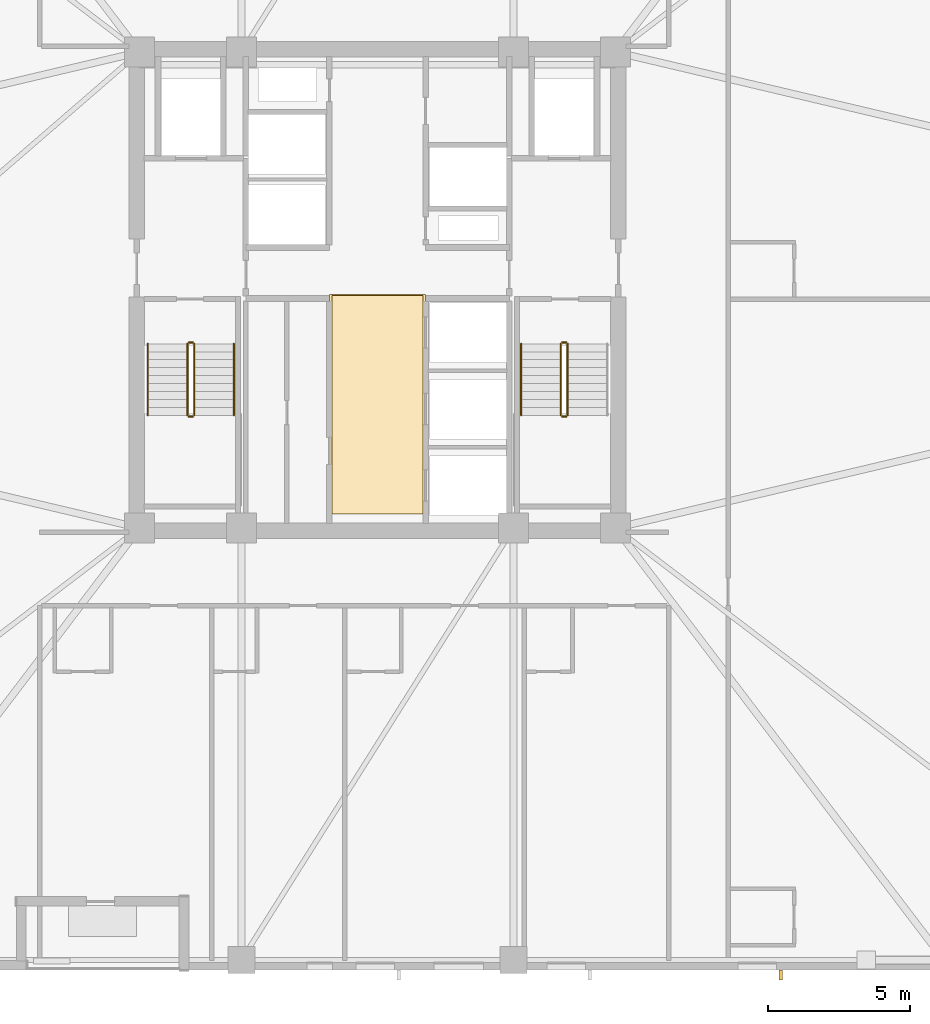
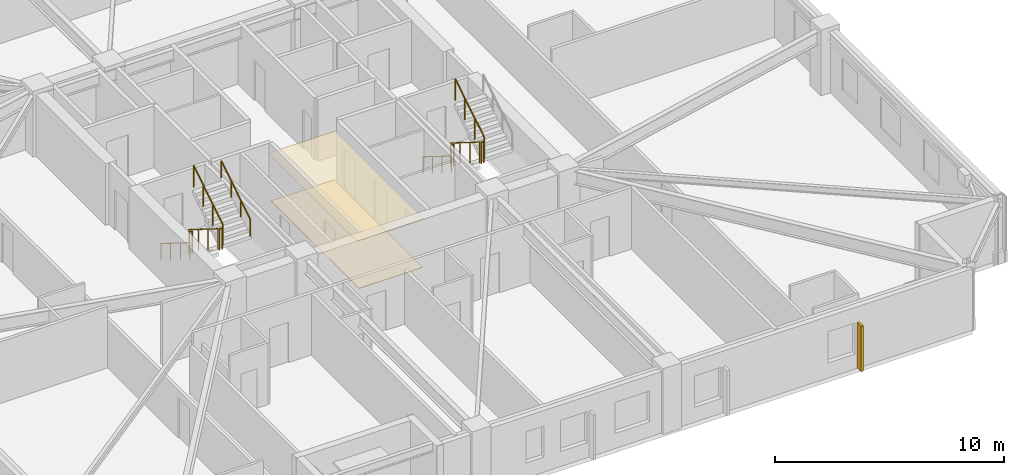
# One storey, part 8 of 11: 11 railings, 2 coverings, 1 shading device.
"""IFC4 building model written with IfcOpenShell, lengths in metres."""

from ifc_helpers import new_model, si_unit, direction, frame, origin, origin_2d, place, context, subcontext, project, spatial, polyline, rectangle, circle, outline, extrude, material, layer, layer_set, type_object, element, save


model = new_model("IFC4")

# Units and contexts
model_context = context("Model", 3, precision=1e-05, world=origin(), true_north=direction((0.0, 1.0)))
body_context = subcontext(model_context, "Body", "Model", "MODEL_VIEW")
ifc_project = project(units=[si_unit("LENGTHUNIT", "METRE"), si_unit("AREAUNIT", "SQUARE_METRE"), si_unit("VOLUMEUNIT", "CUBIC_METRE"), si_unit("PLANEANGLEUNIT", "RADIAN"), si_unit("MASSUNIT", "GRAM", prefix="KILO")], contexts=[model_context])

# Site, building, storey
site_placement = place(None, origin())
site = spatial("IfcSite", under=ifc_project, at=site_placement, CompositionType="ELEMENT")
building_placement = place(site_placement, origin())
building = spatial("IfcBuilding", under=site, at=building_placement, Name="Cairnveth Concourse Tower", CompositionType="ELEMENT")
storey_placement = place(building_placement, frame((0.0, 0.0, 141.0)))
storey = spatial("IfcBuildingStorey", under=building, at=storey_placement, Name="L38", CompositionType="ELEMENT", Elevation=141.0)

# Covering
ifc_material_1 = material(Name="Acoustic Mineral Fibre Ceiling", Category="gypsum")
ifc_layer_1 = layer(ifc_material_1, 0.02490234375)
ifc_layer_set_1 = layer_set([ifc_layer_1], Name="Acoustic Mineral Fibre Ceiling")
covering_type_1 = type_object("IfcCoveringType", Name="ACOUSTIC MINERAL FIBRE CEILING 25", PredefinedType="CEILING", material=ifc_layer_set_1)
covering_1_placement = place(storey_placement, frame((0.0, 0.0, 2.5400390625)))
element("IfcCovering", 1, at=covering_1_placement, inside=storey, type_object=covering_type_1, Name="Lift Lobby Acoustic Ceiling L38", PredefinedType="CEILING", context=body_context, shape_type="SweptSolid", body=[
    extrude(outline(polyline([(50.300048828125, 31.10009765625), (53.699951171875, 31.10009765625), (53.699951171875, 38.85009765625), (50.300048828125, 38.85009765625), (50.300048828125, 31.10009765625)])), origin(), (0.0, 0.0, 1.0), 0.02490234375),
])

# Shading device
ifc_material_2 = material(Name="Architectural Bronze Anodised Aluminium 6063-T6", Category="aluminium")
shading_device_type = type_object("IfcShadingDeviceType", Name="GOTHIC BRONZE VERTICAL LANCET FIN", PredefinedType="USERDEFINED", material=ifc_material_2)
shading_device_placement = place(storey_placement, frame((66.23681640625, 14.824951171875, 0.030029296875), z_axis=(0.0, 0.0, 1.0), x_axis=(1.0, 0.0, 0.0)))
element("IfcShadingDevice", 2, at=shading_device_placement, inside=storey, type_object=shading_device_type, Name="Gothic Bronze Vertical Fin L38-12-1", ObjectType="VERTICAL FIN", PredefinedType="USERDEFINED", context=body_context, shape_type="SweptSolid", body=[
    extrude(rectangle(XDim=0.1201171875, YDim=0.360107421875, at=origin_2d()), origin(), (0.0, 0.0, 1.0), 2.419921875),
])

# Railings
ifc_material_3 = material(Name="Steel Grade 350", Category="steel")
railing_type_1 = type_object("IfcRailingType", Name="STAIR GUARDRAIL 1150", PredefinedType="GUARDRAIL", material=ifc_material_3)
railing_1_placement = place(storey_placement, frame((45.2900390625, 37.10009765625, 0.175048828125)))
element("IfcRailing", 3, at=railing_1_placement, inside=storey, type_object=railing_type_1, Name="L38 ST-1 stair guard 1", PredefinedType="GUARDRAIL", context=body_context, shape_type="SweptSolid", body=[
    extrude(circle(Radius=0.02392578125, at=origin_2d()), frame((0.0, 0.0, 1.1259765625), z_axis=(0.0, -0.848007534815, 0.529984170421), x_axis=(1.0, 0.0, 0.0)), (0.0, 0.0, 1.0), 2.9716796875),
    extrude(circle(Radius=0.02099609375, at=origin_2d()), origin(), (0.0, 0.0, 1.0), 1.101806640625),
    extrude(circle(Radius=0.02099609375, at=origin_2d()), frame((0.0, -0.840087890625, 0.52490234375)), (0.0, 0.0, 1.0), 1.101806640625),
    extrude(circle(Radius=0.02099609375, at=origin_2d()), frame((0.0, -1.679931640625, 1.050048828125)), (0.0, 0.0, 1.0), 1.101806640625),
    extrude(circle(Radius=0.02099609375, at=origin_2d()), frame((0.0, -2.52001953125, 1.574951171875)), (0.0, 0.0, 1.0), 1.101806640625),
])
railing_2_placement = place(storey_placement, frame((45.340087890625, 34.530029296875, 1.75)))
element("IfcRailing", 4, at=railing_2_placement, inside=storey, type_object=railing_type_1, Name="L38 ST-1 stair guard 2", PredefinedType="GUARDRAIL", context=body_context, shape_type="SweptSolid", body=[
    extrude(circle(Radius=0.02392578125, at=origin_2d()), frame((0.0, 0.0, 1.1259765625), z_axis=(1.0, 0.0, 0.0), x_axis=(0.0, 1.0, 0.0)), (0.0, 0.0, 1.0), 0.139892578125),
    extrude(circle(Radius=0.02099609375, at=origin_2d()), origin(), (0.0, 0.0, 1.0), 1.101806640625),
    extrude(circle(Radius=0.02099609375, at=origin_2d()), frame((0.139892578125, 0.0, 0.0)), (0.0, 0.0, 1.0), 1.101806640625),
])
railing_3_placement = place(storey_placement, frame((45.530029296875, 34.580078125, 1.925048828125)))
element("IfcRailing", 5, at=railing_3_placement, inside=storey, type_object=railing_type_1, Name="L38 ST-1 stair guard 3", PredefinedType="GUARDRAIL", context=body_context, shape_type="SweptSolid", body=[
    extrude(circle(Radius=0.02392578125, at=origin_2d()), frame((0.0, 0.0, 1.1259765625), z_axis=(0.0, 0.848007534815, 0.529984170421), x_axis=(-1.0, 0.0, 0.0)), (0.0, 0.0, 1.0), 2.9716796875),
    extrude(circle(Radius=0.02099609375, at=origin_2d()), origin(), (0.0, 0.0, 1.0), 1.101806640625),
    extrude(circle(Radius=0.02099609375, at=origin_2d()), frame((0.0, 0.840087890625, 0.52490234375)), (0.0, 0.0, 1.0), 1.101806640625),
    extrude(circle(Radius=0.02099609375, at=origin_2d()), frame((0.0, 1.679931640625, 1.050048828125)), (0.0, 0.0, 1.0), 1.101806640625),
    extrude(circle(Radius=0.02099609375, at=origin_2d()), frame((0.0, 2.52001953125, 1.574951171875)), (0.0, 0.0, 1.0), 1.101806640625),
])
railing_4_placement = place(storey_placement, frame((45.340087890625, 37.14990234375, 0.0)))
element("IfcRailing", 6, at=railing_4_placement, inside=storey, type_object=railing_type_1, Name="L38 ST-1 stair guard 4", PredefinedType="GUARDRAIL", context=body_context, shape_type="SweptSolid", body=[
    extrude(circle(Radius=0.02392578125, at=origin_2d()), frame((0.0, 0.0, 1.1259765625), z_axis=(1.0, 0.0, 0.0), x_axis=(0.0, 1.0, 0.0)), (0.0, 0.0, 1.0), 0.139892578125),
    extrude(circle(Radius=0.02099609375, at=origin_2d()), origin(), (0.0, 0.0, 1.0), 1.101806640625),
    extrude(circle(Radius=0.02099609375, at=origin_2d()), frame((0.139892578125, 0.0, 0.0)), (0.0, 0.0, 1.0), 1.101806640625),
])
railing_5_placement = place(storey_placement, frame((58.469970703125, 37.10009765625, 0.175048828125)))
element("IfcRailing", 7, at=railing_5_placement, inside=storey, type_object=railing_type_1, Name="L38 ST-2 stair guard 1", PredefinedType="GUARDRAIL", context=body_context, shape_type="SweptSolid", body=[
    extrude(circle(Radius=0.02392578125, at=origin_2d()), frame((0.0, 0.0, 1.1259765625), z_axis=(0.0, -0.848007534815, 0.529984170421), x_axis=(1.0, 0.0, 0.0)), (0.0, 0.0, 1.0), 2.9716796875),
    extrude(circle(Radius=0.02099609375, at=origin_2d()), origin(), (0.0, 0.0, 1.0), 1.101806640625),
    extrude(circle(Radius=0.02099609375, at=origin_2d()), frame((0.0, -0.840087890625, 0.52490234375)), (0.0, 0.0, 1.0), 1.101806640625),
    extrude(circle(Radius=0.02099609375, at=origin_2d()), frame((0.0, -1.679931640625, 1.050048828125)), (0.0, 0.0, 1.0), 1.101806640625),
    extrude(circle(Radius=0.02099609375, at=origin_2d()), frame((0.0, -2.52001953125, 1.574951171875)), (0.0, 0.0, 1.0), 1.101806640625),
])
railing_6_placement = place(storey_placement, frame((58.52001953125, 34.530029296875, 1.75)))
element("IfcRailing", 8, at=railing_6_placement, inside=storey, type_object=railing_type_1, Name="L38 ST-2 stair guard 2", PredefinedType="GUARDRAIL", context=body_context, shape_type="SweptSolid", body=[
    extrude(circle(Radius=0.02392578125, at=origin_2d()), frame((0.0, 0.0, 1.1259765625), z_axis=(1.0, 0.0, 0.0), x_axis=(0.0, 1.0, 0.0)), (0.0, 0.0, 1.0), 0.139892578125),
    extrude(circle(Radius=0.02099609375, at=origin_2d()), origin(), (0.0, 0.0, 1.0), 1.101806640625),
    extrude(circle(Radius=0.02099609375, at=origin_2d()), frame((0.139892578125, 0.0, 0.0)), (0.0, 0.0, 1.0), 1.101806640625),
])
railing_7_placement = place(storey_placement, frame((58.7099609375, 34.580078125, 1.925048828125)))
element("IfcRailing", 9, at=railing_7_placement, inside=storey, type_object=railing_type_1, Name="L38 ST-2 stair guard 3", PredefinedType="GUARDRAIL", context=body_context, shape_type="SweptSolid", body=[
    extrude(circle(Radius=0.02392578125, at=origin_2d()), frame((0.0, 0.0, 1.1259765625), z_axis=(0.0, 0.848007534815, 0.529984170421), x_axis=(-1.0, 0.0, 0.0)), (0.0, 0.0, 1.0), 2.9716796875),
    extrude(circle(Radius=0.02099609375, at=origin_2d()), origin(), (0.0, 0.0, 1.0), 1.101806640625),
    extrude(circle(Radius=0.02099609375, at=origin_2d()), frame((0.0, 0.840087890625, 0.52490234375)), (0.0, 0.0, 1.0), 1.101806640625),
    extrude(circle(Radius=0.02099609375, at=origin_2d()), frame((0.0, 1.679931640625, 1.050048828125)), (0.0, 0.0, 1.0), 1.101806640625),
    extrude(circle(Radius=0.02099609375, at=origin_2d()), frame((0.0, 2.52001953125, 1.574951171875)), (0.0, 0.0, 1.0), 1.101806640625),
])
railing_8_placement = place(storey_placement, frame((58.52001953125, 37.14990234375, 0.0)))
element("IfcRailing", 10, at=railing_8_placement, inside=storey, type_object=railing_type_1, Name="L38 ST-2 stair guard 4", PredefinedType="GUARDRAIL", context=body_context, shape_type="SweptSolid", body=[
    extrude(circle(Radius=0.02392578125, at=origin_2d()), frame((0.0, 0.0, 1.1259765625), z_axis=(1.0, 0.0, 0.0), x_axis=(0.0, 1.0, 0.0)), (0.0, 0.0, 1.0), 0.139892578125),
    extrude(circle(Radius=0.02099609375, at=origin_2d()), origin(), (0.0, 0.0, 1.0), 1.101806640625),
    extrude(circle(Radius=0.02099609375, at=origin_2d()), frame((0.139892578125, 0.0, 0.0)), (0.0, 0.0, 1.0), 1.101806640625),
])
railing_type_2 = type_object("IfcRailingType", Name="STAIR WALL HANDRAIL 900", PredefinedType="HANDRAIL", material=ifc_material_3)
railing_9_placement = place(storey_placement, frame((43.889892578125, 37.10009765625, 0.175048828125)))
element("IfcRailing", 11, at=railing_9_placement, inside=storey, type_object=railing_type_2, Name="L38 ST-1 stair handrail 1", PredefinedType="HANDRAIL", context=body_context, shape_type="SweptSolid", body=[
    extrude(circle(Radius=0.02392578125, at=origin_2d()), frame((0.0, 0.0, 0.8759765625), z_axis=(0.0, -0.848007534815, 0.529984170421), x_axis=(1.0, 0.0, 0.0)), (0.0, 0.0, 1.0), 2.9716796875),
    extrude(circle(Radius=0.02099609375, at=origin_2d()), origin(), (0.0, 0.0, 1.0), 0.851806640625),
    extrude(circle(Radius=0.02099609375, at=origin_2d()), frame((0.0, -0.840087890625, 0.52490234375)), (0.0, 0.0, 1.0), 0.851806640625),
    extrude(circle(Radius=0.02099609375, at=origin_2d()), frame((0.0, -1.679931640625, 1.050048828125)), (0.0, 0.0, 1.0), 0.851806640625),
    extrude(circle(Radius=0.02099609375, at=origin_2d()), frame((0.0, -2.52001953125, 1.574951171875)), (0.0, 0.0, 1.0), 0.851806640625),
])
railing_10_placement = place(storey_placement, frame((46.929931640625, 34.580078125, 1.925048828125)))
element("IfcRailing", 12, at=railing_10_placement, inside=storey, type_object=railing_type_2, Name="L38 ST-1 stair handrail 2", PredefinedType="HANDRAIL", context=body_context, shape_type="SweptSolid", body=[
    extrude(circle(Radius=0.02392578125, at=origin_2d()), frame((0.0, 0.0, 0.8759765625), z_axis=(0.0, 0.848007534815, 0.529984170421), x_axis=(-1.0, 0.0, 0.0)), (0.0, 0.0, 1.0), 2.9716796875),
    extrude(circle(Radius=0.02099609375, at=origin_2d()), origin(), (0.0, 0.0, 1.0), 0.851806640625),
    extrude(circle(Radius=0.02099609375, at=origin_2d()), frame((0.0, 0.840087890625, 0.52490234375)), (0.0, 0.0, 1.0), 0.851806640625),
    extrude(circle(Radius=0.02099609375, at=origin_2d()), frame((0.0, 1.679931640625, 1.050048828125)), (0.0, 0.0, 1.0), 0.851806640625),
    extrude(circle(Radius=0.02099609375, at=origin_2d()), frame((0.0, 2.52001953125, 1.574951171875)), (0.0, 0.0, 1.0), 0.851806640625),
])
railing_11_placement = place(storey_placement, frame((57.070068359375, 37.10009765625, 0.175048828125)))
element("IfcRailing", 13, at=railing_11_placement, inside=storey, type_object=railing_type_2, Name="L38 ST-2 stair handrail 1", PredefinedType="HANDRAIL", context=body_context, shape_type="SweptSolid", body=[
    extrude(circle(Radius=0.02392578125, at=origin_2d()), frame((0.0, 0.0, 0.8759765625), z_axis=(0.0, -0.848007534815, 0.529984170421), x_axis=(1.0, 0.0, 0.0)), (0.0, 0.0, 1.0), 2.9716796875),
    extrude(circle(Radius=0.02099609375, at=origin_2d()), origin(), (0.0, 0.0, 1.0), 0.851806640625),
    extrude(circle(Radius=0.02099609375, at=origin_2d()), frame((0.0, -0.840087890625, 0.52490234375)), (0.0, 0.0, 1.0), 0.851806640625),
    extrude(circle(Radius=0.02099609375, at=origin_2d()), frame((0.0, -1.679931640625, 1.050048828125)), (0.0, 0.0, 1.0), 0.851806640625),
    extrude(circle(Radius=0.02099609375, at=origin_2d()), frame((0.0, -2.52001953125, 1.574951171875)), (0.0, 0.0, 1.0), 0.851806640625),
])

# Covering
ifc_material_4 = material(Name="Vitrified Stoneware Tile Flooring", Category="masonry")
ifc_layer_2 = layer(ifc_material_4, 0.02001953125)
ifc_layer_set_2 = layer_set([ifc_layer_2], Name="Vitrified Stoneware Tile Flooring")
covering_type_2 = type_object("IfcCoveringType", Name="VITRIFIED STONEWARE LOBBY FLOORING 20", PredefinedType="FLOORING", material=ifc_layer_set_2)
covering_2_placement = place(storey_placement, origin())
element("IfcCovering", 14, at=covering_2_placement, inside=storey, type_object=covering_type_2, Name="Lift Lobby Stoneware Flooring L38", PredefinedType="FLOORING", context=body_context, shape_type="SweptSolid", body=[
    extrude(outline(polyline([(50.39990234375, 31.10009765625), (53.60009765625, 31.10009765625), (53.60009765625, 38.800048828125), (50.39990234375, 38.800048828125), (50.39990234375, 31.10009765625)])), origin(), (0.0, 0.0, 1.0), 0.02001953125),
])

save(model, "model.ifc")
